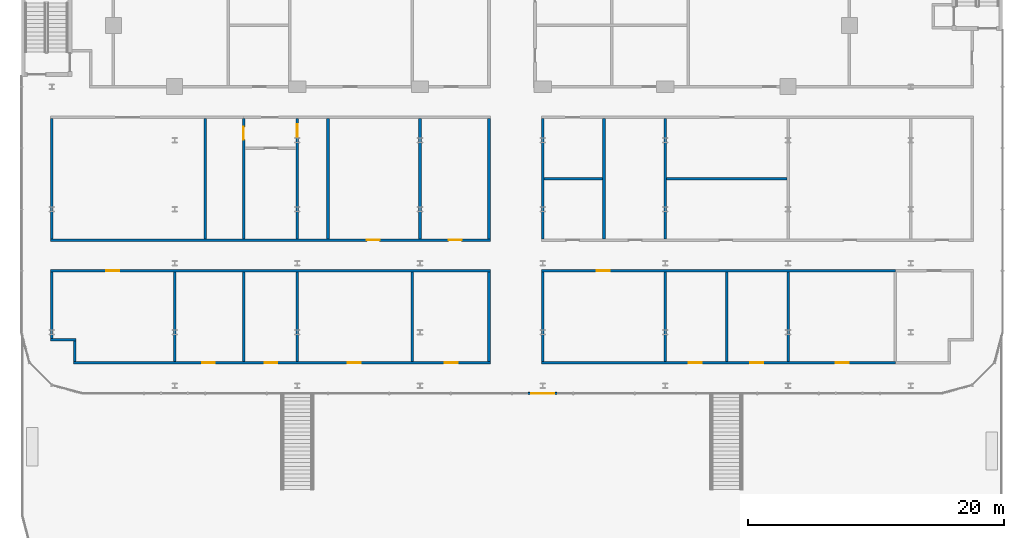
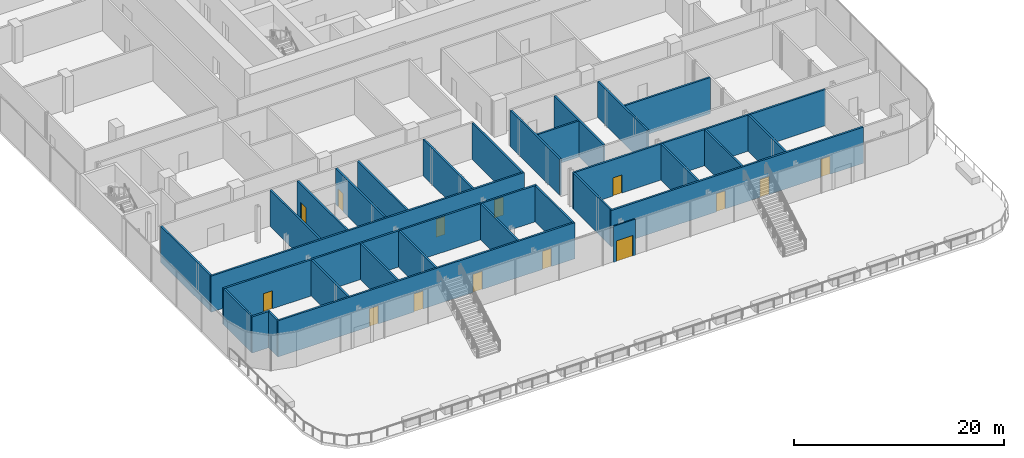
# One storey, part 29 of 43: 30 walls, 14 doors, 14 openings.
"""IFC4 building model written with IfcOpenShell, lengths in metres."""

from ifc_helpers import new_model, si_unit, direction, frame, frame_2d, origin, place, context, subcontext, project, spatial, rectangle, extrude, material, layer, layer_set, type_object, element, fill, save


model = new_model("IFC4")

# Units and contexts
model_context = context("Model", 3, precision=1e-05, world=origin(), true_north=direction((0.0, 1.0)))
body_context = subcontext(model_context, "Body", "Model", "MODEL_VIEW")
ifc_project = project(units=[si_unit("LENGTHUNIT", "METRE"), si_unit("AREAUNIT", "SQUARE_METRE"), si_unit("VOLUMEUNIT", "CUBIC_METRE"), si_unit("PLANEANGLEUNIT", "RADIAN"), si_unit("MASSUNIT", "GRAM", prefix="KILO")], contexts=[model_context])

# Site, building, storey
site_placement = place(None, origin())
site = spatial("IfcSite", under=ifc_project, at=site_placement, CompositionType="ELEMENT")
building_placement = place(site_placement, origin())
building = spatial("IfcBuilding", under=site, at=building_placement, Name="Madar Terraces", CompositionType="ELEMENT")
storey_placement = place(building_placement, frame((0.0, 0.0, 10.5)))
storey = spatial("IfcBuildingStorey", under=building, at=storey_placement, Name="L02", CompositionType="ELEMENT", Elevation=10.5)

# Wall, opening, door
ifc_material_1 = material(Name="Aluminium composite panel, black, over insulated backing", Category="aluminium")
ifc_layer_1 = layer(ifc_material_1, 0.14990234375)
ifc_layer_set_1 = layer_set([ifc_layer_1], Name="Facade bay panel 150")
wall_type_1 = type_object("IfcWallType", Name="Facade bay panel 150", PredefinedType="SOLIDWALL", material=ifc_layer_set_1)
wall_1_placement = place(storey_placement, frame((32.39990234375, -24.0, 0.0), z_axis=(0.0, 0.0, 1.0), x_axis=(1.0, 0.0, 0.0)))
wall_1 = element("IfcWall", 1, at=wall_1_placement, inside=storey, type_object=wall_type_1, Name="Facade bay panel", PredefinedType="SOLIDWALL", context=body_context, shape_type="SweptSolid", body=[
    extrude(rectangle(XDim=2.400146484375, YDim=0.14990234375, at=frame_2d((1.2001953125, 0.0))), origin(), (0.0, 0.0, 1.0), 4.199951171875),
])
opening_1_placement = place(wall_1_placement, frame((0.300048828125, 0.0, 0.0)))
opening_1 = element("IfcOpeningElement", 2, at=opening_1_placement, cuts=wall_1, Name="Opening ED1", PredefinedType="OPENING", context=body_context, shape_type="SweptSolid", body=[
    extrude(rectangle(XDim=1.800048828125, YDim=2.39990234375, at=frame_2d((0.89990234375, 1.199951171875))), frame((0.0, 0.0849609375, 0.0), z_axis=(0.0, -1.0, 0.0), x_axis=(1.0, 0.0, 0.0)), (0.0, 0.0, 1.0), 0.169921875),
])
ifc_material_2 = material(Name="Glass, clear, with black aluminium frame", Category="aluminium")
door_type_1 = type_object("IfcDoorType", Name="Balcony and terrace sliding door 1800 x 2400", OperationType="SLIDING_TO_LEFT", PredefinedType="DOOR", material=ifc_material_2)
door_1_placement = place(opening_1_placement, origin())
door_1 = element("IfcDoor", 3, at=door_1_placement, inside=storey, type_object=door_type_1, Name="Balcony door", OperationType="SLIDING_TO_RIGHT", OverallHeight=2.39990234375, OverallWidth=1.800048828125, PredefinedType="DOOR", context=body_context, shape_type="SweptSolid", body=[
    extrude(rectangle(XDim=1.800048828125, YDim=2.39990234375, at=frame_2d((0.89990234375, 1.199951171875))), frame((0.0, 0.02490234375, 0.0), z_axis=(0.0, -1.0, 0.0), x_axis=(1.0, 0.0, 0.0)), (0.0, 0.0, 1.0), 0.050048828125),
])
fill(opening_1, door_1)

# Wall, openings, doors
ifc_material_3 = material(Name="Gypsum board partition, fire-rated")
ifc_layer_2 = layer(ifc_material_3, 0.199951171875)
ifc_layer_set_2 = layer_set([ifc_layer_2], Name="Partition 200 EI 60")
wall_type_2 = type_object("IfcWallType", Name="Partition 200 EI 60", PredefinedType="PARTITIONING", material=ifc_layer_set_2)
wall_2_placement = place(storey_placement, frame((-3.10009765625, -21.60009765625, 0.0), z_axis=(0.0, 0.0, 1.0), x_axis=(1.0, 0.0, 0.0)))
wall_2 = element("IfcWall", 4, at=wall_2_placement, inside=storey, type_object=wall_type_2, Name="Wall LINEN STORE + OFFICE", PredefinedType="PARTITIONING", context=body_context, shape_type="SweptSolid", body=[
    extrude(rectangle(XDim=32.60009765625, YDim=0.199951171875, at=frame_2d((16.300048828125, 0.0))), origin(), (0.0, 0.0, 1.0), 4.199951171875),
])
opening_2_placement = place(wall_2_placement, frame((10.050048828125, 0.0, 0.0)))
opening_2 = element("IfcOpeningElement", 5, at=opening_2_placement, cuts=wall_2, Name="Opening D31", PredefinedType="OPENING", context=body_context, shape_type="SweptSolid", body=[
    extrude(rectangle(XDim=1.0, YDim=2.10009765625, at=frame_2d((0.5, 1.050048828125))), frame((0.0, 0.10986328125, 0.0), z_axis=(0.0, -1.0, 0.0), x_axis=(1.0, 0.0, 0.0)), (0.0, 0.0, 1.0), 0.219970703125),
])
opening_3_placement = place(wall_2_placement, frame((14.949951171875, 0.0, 0.0)))
opening_3 = element("IfcOpeningElement", 6, at=opening_3_placement, cuts=wall_2, Name="Opening D31", PredefinedType="OPENING", context=body_context, shape_type="SweptSolid", body=[
    extrude(rectangle(XDim=1.0, YDim=2.10009765625, at=frame_2d((0.5, 1.050048828125))), frame((0.0, 0.10986328125, 0.0), z_axis=(0.0, -1.0, 0.0), x_axis=(1.0, 0.0, 0.0)), (0.0, 0.0, 1.0), 0.219970703125),
])
opening_4_placement = place(wall_2_placement, frame((21.449951171875, 0.0, 0.0)))
opening_4 = element("IfcOpeningElement", 7, at=opening_4_placement, cuts=wall_2, Name="Opening D31", PredefinedType="OPENING", context=body_context, shape_type="SweptSolid", body=[
    extrude(rectangle(XDim=1.0, YDim=2.10009765625, at=frame_2d((0.5, 1.050048828125))), frame((0.0, 0.10986328125, 0.0), z_axis=(0.0, -1.0, 0.0), x_axis=(1.0, 0.0, 0.0)), (0.0, 0.0, 1.0), 0.219970703125),
])
opening_5_placement = place(wall_2_placement, frame((29.050048828125, 0.0, 0.0)))
opening_5 = element("IfcOpeningElement", 8, at=opening_5_placement, cuts=wall_2, Name="Opening D31", PredefinedType="OPENING", context=body_context, shape_type="SweptSolid", body=[
    extrude(rectangle(XDim=1.0, YDim=2.10009765625, at=frame_2d((0.5, 1.050048828125))), frame((0.0, 0.10986328125, 0.0), z_axis=(0.0, -1.0, 0.0), x_axis=(1.0, 0.0, 0.0)), (0.0, 0.0, 1.0), 0.219970703125),
])
ifc_material_4 = material(Name="Timber door leaf, fire-rated", Category="wood")
door_type_2 = type_object("IfcDoorType", Name="Podium door 1000 x 2100 FD30S", OperationType="NOTDEFINED", PredefinedType="DOOR", material=ifc_material_4)
door_2_placement = place(opening_2_placement, origin())
door_2 = element("IfcDoor", 9, at=door_2_placement, inside=storey, type_object=door_type_2, Name="Door OFFICE / PODIUM CORRIDOR", OperationType="SINGLE_SWING_LEFT", OverallHeight=2.10009765625, OverallWidth=1.0, PredefinedType="DOOR", context=body_context, shape_type="SweptSolid", body=[
    extrude(rectangle(XDim=1.0, YDim=2.10009765625, at=frame_2d((0.5, 1.050048828125))), frame((0.0, 0.02490234375, 0.0), z_axis=(0.0, -1.0, 0.0), x_axis=(1.0, 0.0, 0.0)), (0.0, 0.0, 1.0), 0.050048828125),
])
fill(opening_2, door_2)
door_3_placement = place(opening_3_placement, origin())
door_3 = element("IfcDoor", 10, at=door_3_placement, inside=storey, type_object=door_type_2, Name="Door STAFF ROOM / PODIUM CORRIDOR", OperationType="SINGLE_SWING_RIGHT", OverallHeight=2.10009765625, OverallWidth=1.0, PredefinedType="DOOR", context=body_context, shape_type="SweptSolid", body=[
    extrude(rectangle(XDim=1.0, YDim=2.10009765625, at=frame_2d((0.5, 1.050048828125))), frame((0.0, 0.02490234375, 0.0), z_axis=(0.0, -1.0, 0.0), x_axis=(1.0, 0.0, 0.0)), (0.0, 0.0, 1.0), 0.050048828125),
])
fill(opening_3, door_3)
door_4_placement = place(opening_4_placement, origin())
door_4 = element("IfcDoor", 11, at=door_4_placement, inside=storey, type_object=door_type_2, Name="Door LINEN STORE / PODIUM CORRIDOR", OperationType="SINGLE_SWING_LEFT", OverallHeight=2.10009765625, OverallWidth=1.0, PredefinedType="DOOR", context=body_context, shape_type="SweptSolid", body=[
    extrude(rectangle(XDim=1.0, YDim=2.10009765625, at=frame_2d((0.5, 1.050048828125))), frame((0.0, 0.02490234375, 0.0), z_axis=(0.0, -1.0, 0.0), x_axis=(1.0, 0.0, 0.0)), (0.0, 0.0, 1.0), 0.050048828125),
])
fill(opening_4, door_4)
door_5_placement = place(opening_5_placement, origin())
door_5 = element("IfcDoor", 12, at=door_5_placement, inside=storey, type_object=door_type_2, Name="Door PATIENT STORE / PODIUM CORRIDOR", OperationType="SINGLE_SWING_RIGHT", OverallHeight=2.10009765625, OverallWidth=1.0, PredefinedType="DOOR", context=body_context, shape_type="SweptSolid", body=[
    extrude(rectangle(XDim=1.0, YDim=2.10009765625, at=frame_2d((0.5, 1.050048828125))), frame((0.0, 0.02490234375, 0.0), z_axis=(0.0, -1.0, 0.0), x_axis=(1.0, 0.0, 0.0)), (0.0, 0.0, 1.0), 0.050048828125),
])
fill(opening_5, door_5)

wall_3_placement = place(storey_placement, frame((33.5, -21.60009765625, 0.0), z_axis=(0.0, 0.0, 1.0), x_axis=(1.0, 0.0, 0.0)))
wall_3 = element("IfcWall", 13, at=wall_3_placement, inside=storey, type_object=wall_type_2, Name="Wall OFFICE + RECORDS STORE", PredefinedType="PARTITIONING", context=body_context, shape_type="SweptSolid", body=[
    extrude(rectangle(XDim=27.699951171875, YDim=0.199951171875, at=frame_2d((13.85009765625, 0.0))), origin(), (0.0, 0.0, 1.0), 4.199951171875),
])
opening_6_placement = place(wall_3_placement, frame((11.550048828125, 0.0, 0.0)))
opening_6 = element("IfcOpeningElement", 14, at=opening_6_placement, cuts=wall_3, Name="Opening D31", PredefinedType="OPENING", context=body_context, shape_type="SweptSolid", body=[
    extrude(rectangle(XDim=1.0, YDim=2.10009765625, at=frame_2d((0.5, 1.050048828125))), frame((0.0, 0.10986328125, 0.0), z_axis=(0.0, -1.0, 0.0), x_axis=(1.0, 0.0, 0.0)), (0.0, 0.0, 1.0), 0.219970703125),
])
opening_7_placement = place(wall_3_placement, frame((16.35009765625, 0.0, 0.0)))
opening_7 = element("IfcOpeningElement", 15, at=opening_7_placement, cuts=wall_3, Name="Opening D31", PredefinedType="OPENING", context=body_context, shape_type="SweptSolid", body=[
    extrude(rectangle(XDim=1.0, YDim=2.10009765625, at=frame_2d((0.5, 1.050048828125))), frame((0.0, 0.10986328125, 0.0), z_axis=(0.0, -1.0, 0.0), x_axis=(1.0, 0.0, 0.0)), (0.0, 0.0, 1.0), 0.219970703125),
])
opening_8_placement = place(wall_3_placement, frame((23.050048828125, 0.0, 0.0)))
opening_8 = element("IfcOpeningElement", 16, at=opening_8_placement, cuts=wall_3, Name="Opening D31", PredefinedType="OPENING", context=body_context, shape_type="SweptSolid", body=[
    extrude(rectangle(XDim=1.0, YDim=2.10009765625, at=frame_2d((0.5, 1.050048828125))), frame((0.0, 0.10986328125, 0.0), z_axis=(0.0, -1.0, 0.0), x_axis=(1.0, 0.0, 0.0)), (0.0, 0.0, 1.0), 0.219970703125),
])
door_6_placement = place(opening_6_placement, origin())
door_6 = element("IfcDoor", 17, at=door_6_placement, inside=storey, type_object=door_type_2, Name="Door OFFICE / PODIUM CORRIDOR", OperationType="SINGLE_SWING_LEFT", OverallHeight=2.10009765625, OverallWidth=1.0, PredefinedType="DOOR", context=body_context, shape_type="SweptSolid", body=[
    extrude(rectangle(XDim=1.0, YDim=2.10009765625, at=frame_2d((0.5, 1.050048828125))), frame((0.0, 0.02490234375, 0.0), z_axis=(0.0, -1.0, 0.0), x_axis=(1.0, 0.0, 0.0)), (0.0, 0.0, 1.0), 0.050048828125),
])
fill(opening_6, door_6)
door_7_placement = place(opening_7_placement, origin())
door_7 = element("IfcDoor", 18, at=door_7_placement, inside=storey, type_object=door_type_2, Name="Door OFFICE / PODIUM CORRIDOR", OperationType="SINGLE_SWING_LEFT", OverallHeight=2.10009765625, OverallWidth=1.0, PredefinedType="DOOR", context=body_context, shape_type="SweptSolid", body=[
    extrude(rectangle(XDim=1.0, YDim=2.10009765625, at=frame_2d((0.5, 1.050048828125))), frame((0.0, 0.02490234375, 0.0), z_axis=(0.0, -1.0, 0.0), x_axis=(1.0, 0.0, 0.0)), (0.0, 0.0, 1.0), 0.050048828125),
])
fill(opening_7, door_7)
door_8_placement = place(opening_8_placement, origin())
door_8 = element("IfcDoor", 19, at=door_8_placement, inside=storey, type_object=door_type_2, Name="Door RECORDS STORE / PODIUM CORRIDOR", OperationType="SINGLE_SWING_RIGHT", OverallHeight=2.10009765625, OverallWidth=1.0, PredefinedType="DOOR", context=body_context, shape_type="SweptSolid", body=[
    extrude(rectangle(XDim=1.0, YDim=2.10009765625, at=frame_2d((0.5, 1.050048828125))), frame((0.0, 0.02490234375, 0.0), z_axis=(0.0, -1.0, 0.0), x_axis=(1.0, 0.0, 0.0)), (0.0, 0.0, 1.0), 0.050048828125),
])
fill(opening_8, door_8)

# Wall
wall_4_placement = place(storey_placement, frame((-4.89990234375, -19.800048828125, 0.0), z_axis=(0.0, 0.0, 1.0), x_axis=(1.0, 0.0, 0.0)))
element("IfcWall", 20, at=wall_4_placement, inside=storey, type_object=wall_type_2, Name="Wall OFFICE / PODIUM CORRIDOR", PredefinedType="PARTITIONING", context=body_context, shape_type="SweptSolid", body=[
    extrude(rectangle(XDim=2.0, YDim=0.199951171875, at=frame_2d((1.0, 0.0))), origin(), (0.0, 0.0, 1.0), 4.199951171875),
])

# Wall, opening, door
wall_5_placement = place(storey_placement, frame((29.5, -14.39990234375, 0.0), z_axis=(0.0, 0.0, 1.0), x_axis=(-1.0, 0.0, 0.0)))
wall_5 = element("IfcWall", 21, at=wall_5_placement, inside=storey, type_object=wall_type_2, Name="Wall LINEN STORE + OFFICE", PredefinedType="PARTITIONING", context=body_context, shape_type="SweptSolid", body=[
    extrude(rectangle(XDim=34.39990234375, YDim=0.199951171875, at=frame_2d((17.199951171875, 0.0))), origin(), (0.0, 0.0, 1.0), 4.199951171875),
])
opening_9_placement = place(wall_5_placement, frame((29.050048828125, 0.0, 0.0)))
opening_9 = element("IfcOpeningElement", 22, at=opening_9_placement, cuts=wall_5, Name="Opening D31", PredefinedType="OPENING", context=body_context, shape_type="SweptSolid", body=[
    extrude(rectangle(XDim=1.0, YDim=2.10009765625, at=frame_2d((0.5, 1.050048828125))), frame((0.0, 0.10986328125, 0.0), z_axis=(0.0, -1.0, 0.0), x_axis=(1.0, 0.0, 0.0)), (0.0, 0.0, 1.0), 0.219970703125),
])
door_9_placement = place(opening_9_placement, origin())
door_9 = element("IfcDoor", 23, at=door_9_placement, inside=storey, type_object=door_type_2, Name="Door OFFICE / PODIUM CORRIDOR", OperationType="SINGLE_SWING_LEFT", OverallHeight=2.10009765625, OverallWidth=1.0, PredefinedType="DOOR", context=body_context, shape_type="SweptSolid", body=[
    extrude(rectangle(XDim=1.0, YDim=2.10009765625, at=frame_2d((0.5, 1.050048828125))), frame((0.0, 0.02490234375, 0.0), z_axis=(0.0, -1.0, 0.0), x_axis=(1.0, 0.0, 0.0)), (0.0, 0.0, 1.0), 0.050048828125),
])
fill(opening_9, door_9)

wall_6_placement = place(storey_placement, frame((61.199951171875, -14.39990234375, 0.0), z_axis=(0.0, 0.0, 1.0), x_axis=(-1.0, 0.0, 0.0)))
wall_6 = element("IfcWall", 24, at=wall_6_placement, inside=storey, type_object=wall_type_2, Name="Wall OFFICE + RECORDS STORE", PredefinedType="PARTITIONING", context=body_context, shape_type="SweptSolid", body=[
    extrude(rectangle(XDim=27.699951171875, YDim=0.199951171875, at=frame_2d((13.85009765625, 0.0))), origin(), (0.0, 0.0, 1.0), 4.199951171875),
])
opening_10_placement = place(wall_6_placement, frame((22.35009765625, 0.0, 0.0)))
opening_10 = element("IfcOpeningElement", 25, at=opening_10_placement, cuts=wall_6, Name="Opening D31", PredefinedType="OPENING", context=body_context, shape_type="SweptSolid", body=[
    extrude(rectangle(XDim=1.0, YDim=2.10009765625, at=frame_2d((0.5, 1.050048828125))), frame((0.0, 0.10986328125, 0.0), z_axis=(0.0, -1.0, 0.0), x_axis=(1.0, 0.0, 0.0)), (0.0, 0.0, 1.0), 0.219970703125),
])
door_10_placement = place(opening_10_placement, origin())
door_10 = element("IfcDoor", 26, at=door_10_placement, inside=storey, type_object=door_type_2, Name="Door STAFF ROOM / PODIUM CORRIDOR", OperationType="SINGLE_SWING_LEFT", OverallHeight=2.10009765625, OverallWidth=1.0, PredefinedType="DOOR", context=body_context, shape_type="SweptSolid", body=[
    extrude(rectangle(XDim=1.0, YDim=2.10009765625, at=frame_2d((0.5, 1.050048828125))), frame((0.0, 0.02490234375, 0.0), z_axis=(0.0, -1.0, 0.0), x_axis=(1.0, 0.0, 0.0)), (0.0, 0.0, 1.0), 0.050048828125),
])
fill(opening_10, door_10)

# Wall, openings, doors
wall_7_placement = place(storey_placement, frame((-4.89990234375, -12.0, 0.0), z_axis=(0.0, 0.0, 1.0), x_axis=(1.0, 0.0, 0.0)))
wall_7 = element("IfcWall", 27, at=wall_7_placement, inside=storey, type_object=wall_type_2, Name="Wall ACCESSIBLE WC + TREATMENT ROOM", PredefinedType="PARTITIONING", context=body_context, shape_type="SweptSolid", body=[
    extrude(rectangle(XDim=34.39990234375, YDim=0.199951171875, at=frame_2d((17.199951171875, 0.0))), origin(), (0.0, 0.0, 1.0), 4.199951171875),
])
opening_11_placement = place(wall_7_placement, frame((24.75, 0.0, 0.0)))
opening_11 = element("IfcOpeningElement", 28, at=opening_11_placement, cuts=wall_7, Name="Opening D31", PredefinedType="OPENING", context=body_context, shape_type="SweptSolid", body=[
    extrude(rectangle(XDim=1.0, YDim=2.10009765625, at=frame_2d((0.5, 1.050048828125))), frame((0.0, 0.10986328125, 0.0), z_axis=(0.0, -1.0, 0.0), x_axis=(1.0, 0.0, 0.0)), (0.0, 0.0, 1.0), 0.219970703125),
])
opening_12_placement = place(wall_7_placement, frame((31.14990234375, 0.0, 0.0)))
opening_12 = element("IfcOpeningElement", 29, at=opening_12_placement, cuts=wall_7, Name="Opening D31", PredefinedType="OPENING", context=body_context, shape_type="SweptSolid", body=[
    extrude(rectangle(XDim=1.0, YDim=2.10009765625, at=frame_2d((0.5, 1.050048828125))), frame((0.0, 0.10986328125, 0.0), z_axis=(0.0, -1.0, 0.0), x_axis=(1.0, 0.0, 0.0)), (0.0, 0.0, 1.0), 0.219970703125),
])
door_11_placement = place(opening_11_placement, origin())
door_11 = element("IfcDoor", 30, at=door_11_placement, inside=storey, type_object=door_type_2, Name="Door TREATMENT ROOM / PODIUM CORRIDOR", OperationType="SINGLE_SWING_LEFT", OverallHeight=2.10009765625, OverallWidth=1.0, PredefinedType="DOOR", context=body_context, shape_type="SweptSolid", body=[
    extrude(rectangle(XDim=1.0, YDim=2.10009765625, at=frame_2d((0.5, 1.050048828125))), frame((0.0, 0.02490234375, 0.0), z_axis=(0.0, -1.0, 0.0), x_axis=(1.0, 0.0, 0.0)), (0.0, 0.0, 1.0), 0.050048828125),
])
fill(opening_11, door_11)
door_12_placement = place(opening_12_placement, origin())
door_12 = element("IfcDoor", 31, at=door_12_placement, inside=storey, type_object=door_type_2, Name="Door TREATMENT ROOM / PODIUM CORRIDOR", OperationType="SINGLE_SWING_RIGHT", OverallHeight=2.10009765625, OverallWidth=1.0, PredefinedType="DOOR", context=body_context, shape_type="SweptSolid", body=[
    extrude(rectangle(XDim=1.0, YDim=2.10009765625, at=frame_2d((0.5, 1.050048828125))), frame((0.0, 0.02490234375, 0.0), z_axis=(0.0, -1.0, 0.0), x_axis=(1.0, 0.0, 0.0)), (0.0, 0.0, 1.0), 0.050048828125),
])
fill(opening_12, door_12)

# Walls
wall_8_placement = place(storey_placement, frame((33.699951171875, -7.199951171875, 0.0), z_axis=(0.0, 0.0, 1.0), x_axis=(1.0, 0.0, 0.0)))
element("IfcWall", 32, at=wall_8_placement, inside=storey, type_object=wall_type_2, Name="Wall CLEAN UTILITY / DIRTY UTILITY", PredefinedType="PARTITIONING", context=body_context, shape_type="SweptSolid", body=[
    extrude(rectangle(XDim=4.60009765625, YDim=0.199951171875, at=frame_2d((2.300048828125, 0.0))), origin(), (0.0, 0.0, 1.0), 4.199951171875),
])
wall_9_placement = place(storey_placement, frame((43.300048828125, -7.199951171875, 0.0), z_axis=(0.0, 0.0, 1.0), x_axis=(1.0, 0.0, 0.0)))
element("IfcWall", 33, at=wall_9_placement, inside=storey, type_object=wall_type_2, Name="Wall CONSULTING ROOM / CONSULTING ROOM", PredefinedType="PARTITIONING", context=body_context, shape_type="SweptSolid", body=[
    extrude(rectangle(XDim=9.39990234375, YDim=0.199951171875, at=frame_2d((4.699951171875, 0.0))), origin(), (0.0, 0.0, 1.0), 4.199951171875),
])
wall_10_placement = place(storey_placement, frame((-4.800048828125, -19.699951171875, 0.0), z_axis=(0.0, 0.0, 1.0), x_axis=(0.0, 1.0, 0.0)))
element("IfcWall", 34, at=wall_10_placement, inside=storey, type_object=wall_type_2, Name="Wall OFFICE / PODIUM CORRIDOR", PredefinedType="PARTITIONING", context=body_context, shape_type="SweptSolid", body=[
    extrude(rectangle(XDim=5.199951171875, YDim=0.199951171875, at=frame_2d((2.60009765625, 0.0))), origin(), (0.0, 0.0, 1.0), 4.199951171875),
])
wall_11_placement = place(storey_placement, frame((-4.800048828125, -11.89990234375, 0.0), z_axis=(0.0, 0.0, 1.0), x_axis=(0.0, 1.0, 0.0)))
element("IfcWall", 35, at=wall_11_placement, inside=storey, type_object=wall_type_2, Name="Wall WAITING AREA / PODIUM CORRIDOR", PredefinedType="PARTITIONING", context=body_context, shape_type="SweptSolid", body=[
    extrude(rectangle(XDim=9.39990234375, YDim=0.199951171875, at=frame_2d((4.699951171875, 0.0))), origin(), (0.0, 0.0, 1.0), 4.199951171875),
])
wall_12_placement = place(storey_placement, frame((-3.0, -21.5, 0.0), z_axis=(0.0, 0.0, 1.0), x_axis=(0.0, 1.0, 0.0)))
element("IfcWall", 36, at=wall_12_placement, inside=storey, type_object=wall_type_2, Name="Wall OFFICE / PODIUM CORRIDOR", PredefinedType="PARTITIONING", context=body_context, shape_type="SweptSolid", body=[
    extrude(rectangle(XDim=1.60009765625, YDim=0.199951171875, at=frame_2d((0.800048828125, 0.0))), origin(), (0.0, 0.0, 1.0), 4.199951171875),
])
wall_13_placement = place(storey_placement, frame((4.800048828125, -21.5, 0.0), z_axis=(0.0, 0.0, 1.0), x_axis=(0.0, 1.0, 0.0)))
element("IfcWall", 37, at=wall_13_placement, inside=storey, type_object=wall_type_2, Name="Wall OFFICE / OFFICE", PredefinedType="PARTITIONING", context=body_context, shape_type="SweptSolid", body=[
    extrude(rectangle(XDim=7.0, YDim=0.199951171875, at=frame_2d((3.5, 0.0))), origin(), (0.0, 0.0, 1.0), 4.199951171875),
])
wall_14_placement = place(storey_placement, frame((7.199951171875, -11.89990234375, 0.0), z_axis=(0.0, 0.0, 1.0), x_axis=(0.0, 1.0, 0.0)))
element("IfcWall", 38, at=wall_14_placement, inside=storey, type_object=wall_type_2, Name="Wall WAITING AREA / WC MEN", PredefinedType="PARTITIONING", context=body_context, shape_type="SweptSolid", body=[
    extrude(rectangle(XDim=9.39990234375, YDim=0.199951171875, at=frame_2d((4.699951171875, 0.0))), origin(), (0.0, 0.0, 1.0), 4.199951171875),
])
wall_15_placement = place(storey_placement, frame((10.199951171875, -21.5, 0.0), z_axis=(0.0, 0.0, 1.0), x_axis=(0.0, 1.0, 0.0)))
element("IfcWall", 39, at=wall_15_placement, inside=storey, type_object=wall_type_2, Name="Wall OFFICE / STAFF ROOM", PredefinedType="PARTITIONING", context=body_context, shape_type="SweptSolid", body=[
    extrude(rectangle(XDim=7.0, YDim=0.199951171875, at=frame_2d((3.5, 0.0))), origin(), (0.0, 0.0, 1.0), 4.199951171875),
])

# Wall, opening, door
wall_16_placement = place(storey_placement, frame((10.199951171875, -11.89990234375, 0.0), z_axis=(0.0, 0.0, 1.0), x_axis=(0.0, 1.0, 0.0)))
wall_16 = element("IfcWall", 40, at=wall_16_placement, inside=storey, type_object=wall_type_2, Name="Wall WC LOBBY + WC MEN", PredefinedType="PARTITIONING", context=body_context, shape_type="SweptSolid", body=[
    extrude(rectangle(XDim=9.39990234375, YDim=0.199951171875, at=frame_2d((4.699951171875, 0.0))), origin(), (0.0, 0.0, 1.0), 4.199951171875),
])
opening_13_placement = place(wall_16_placement, frame((7.75, 0.0, 0.0)))
opening_13 = element("IfcOpeningElement", 41, at=opening_13_placement, cuts=wall_16, Name="Opening D31", PredefinedType="OPENING", context=body_context, shape_type="SweptSolid", body=[
    extrude(rectangle(XDim=1.0, YDim=2.10009765625, at=frame_2d((0.5, 1.050048828125))), frame((0.0, 0.10986328125, 0.0), z_axis=(0.0, -1.0, 0.0), x_axis=(1.0, 0.0, 0.0)), (0.0, 0.0, 1.0), 0.219970703125),
])
door_13_placement = place(opening_13_placement, origin())
door_13 = element("IfcDoor", 42, at=door_13_placement, inside=storey, type_object=door_type_2, Name="Door WC LOBBY / WC MEN", OperationType="SINGLE_SWING_RIGHT", OverallHeight=2.10009765625, OverallWidth=1.0, PredefinedType="DOOR", context=body_context, shape_type="SweptSolid", body=[
    extrude(rectangle(XDim=1.0, YDim=2.10009765625, at=frame_2d((0.5, 1.050048828125))), frame((0.0, 0.02490234375, 0.0), z_axis=(0.0, -1.0, 0.0), x_axis=(1.0, 0.0, 0.0)), (0.0, 0.0, 1.0), 0.050048828125),
])
fill(opening_13, door_13)

# Wall
wall_17_placement = place(storey_placement, frame((14.39990234375, -21.5, 0.0), z_axis=(0.0, 0.0, 1.0), x_axis=(0.0, 1.0, 0.0)))
element("IfcWall", 43, at=wall_17_placement, inside=storey, type_object=wall_type_2, Name="Wall STAFF ROOM / LINEN STORE", PredefinedType="PARTITIONING", context=body_context, shape_type="SweptSolid", body=[
    extrude(rectangle(XDim=7.0, YDim=0.199951171875, at=frame_2d((3.5, 0.0))), origin(), (0.0, 0.0, 1.0), 4.199951171875),
])

# Wall, opening, door
wall_18_placement = place(storey_placement, frame((14.39990234375, -2.5, 0.0), z_axis=(0.0, 0.0, 1.0), x_axis=(0.0, -1.0, 0.0)))
wall_18 = element("IfcWall", 44, at=wall_18_placement, inside=storey, type_object=wall_type_2, Name="Wall WC LOBBY + WC WOMEN", PredefinedType="PARTITIONING", context=body_context, shape_type="SweptSolid", body=[
    extrude(rectangle(XDim=9.39990234375, YDim=0.199951171875, at=frame_2d((4.699951171875, 0.0))), origin(), (0.0, 0.0, 1.0), 4.199951171875),
])
opening_14_placement = place(wall_18_placement, frame((0.449951171875, 0.0, 0.0)))
opening_14 = element("IfcOpeningElement", 45, at=opening_14_placement, cuts=wall_18, Name="Opening D31", PredefinedType="OPENING", context=body_context, shape_type="SweptSolid", body=[
    extrude(rectangle(XDim=1.0, YDim=2.10009765625, at=frame_2d((0.5, 1.050048828125))), frame((0.0, 0.10986328125, 0.0), z_axis=(0.0, -1.0, 0.0), x_axis=(1.0, 0.0, 0.0)), (0.0, 0.0, 1.0), 0.219970703125),
])
door_14_placement = place(opening_14_placement, origin())
door_14 = element("IfcDoor", 46, at=door_14_placement, inside=storey, type_object=door_type_2, Name="Door WC LOBBY / WC WOMEN", OperationType="SINGLE_SWING_LEFT", OverallHeight=2.10009765625, OverallWidth=1.0, PredefinedType="DOOR", context=body_context, shape_type="SweptSolid", body=[
    extrude(rectangle(XDim=1.0, YDim=2.10009765625, at=frame_2d((0.5, 1.050048828125))), frame((0.0, 0.02490234375, 0.0), z_axis=(0.0, -1.0, 0.0), x_axis=(1.0, 0.0, 0.0)), (0.0, 0.0, 1.0), 0.050048828125),
])
fill(opening_14, door_14)

# Walls
wall_19_placement = place(storey_placement, frame((16.800048828125, -11.89990234375, 0.0), z_axis=(0.0, 0.0, 1.0), x_axis=(0.0, 1.0, 0.0)))
element("IfcWall", 47, at=wall_19_placement, inside=storey, type_object=wall_type_2, Name="Wall WC WOMEN / TREATMENT ROOM", PredefinedType="PARTITIONING", context=body_context, shape_type="SweptSolid", body=[
    extrude(rectangle(XDim=9.39990234375, YDim=0.199951171875, at=frame_2d((4.699951171875, 0.0))), origin(), (0.0, 0.0, 1.0), 4.199951171875),
])
wall_20_placement = place(storey_placement, frame((23.39990234375, -21.5, 0.0), z_axis=(0.0, 0.0, 1.0), x_axis=(0.0, 1.0, 0.0)))
element("IfcWall", 48, at=wall_20_placement, inside=storey, type_object=wall_type_2, Name="Wall LINEN STORE / PATIENT STORE", PredefinedType="PARTITIONING", context=body_context, shape_type="SweptSolid", body=[
    extrude(rectangle(XDim=7.0, YDim=0.199951171875, at=frame_2d((3.5, 0.0))), origin(), (0.0, 0.0, 1.0), 4.199951171875),
])
wall_21_placement = place(storey_placement, frame((24.0, -11.89990234375, 0.0), z_axis=(0.0, 0.0, 1.0), x_axis=(0.0, 1.0, 0.0)))
element("IfcWall", 49, at=wall_21_placement, inside=storey, type_object=wall_type_2, Name="Wall TREATMENT ROOM / TREATMENT ROOM", PredefinedType="PARTITIONING", context=body_context, shape_type="SweptSolid", body=[
    extrude(rectangle(XDim=9.39990234375, YDim=0.199951171875, at=frame_2d((4.699951171875, 0.0))), origin(), (0.0, 0.0, 1.0), 4.199951171875),
])
wall_22_placement = place(storey_placement, frame((29.39990234375, -21.5, 0.0), z_axis=(0.0, 0.0, 1.0), x_axis=(0.0, 1.0, 0.0)))
element("IfcWall", 50, at=wall_22_placement, inside=storey, type_object=wall_type_2, Name="Wall PATIENT STORE / PODIUM CORRIDOR", PredefinedType="PARTITIONING", context=body_context, shape_type="SweptSolid", body=[
    extrude(rectangle(XDim=7.0, YDim=0.199951171875, at=frame_2d((3.5, 0.0))), origin(), (0.0, 0.0, 1.0), 4.199951171875),
])
wall_23_placement = place(storey_placement, frame((29.39990234375, -11.89990234375, 0.0), z_axis=(0.0, 0.0, 1.0), x_axis=(0.0, 1.0, 0.0)))
element("IfcWall", 51, at=wall_23_placement, inside=storey, type_object=wall_type_2, Name="Wall TREATMENT ROOM / PODIUM CORRIDOR", PredefinedType="PARTITIONING", context=body_context, shape_type="SweptSolid", body=[
    extrude(rectangle(XDim=9.39990234375, YDim=0.199951171875, at=frame_2d((4.699951171875, 0.0))), origin(), (0.0, 0.0, 1.0), 4.199951171875),
])
wall_24_placement = place(storey_placement, frame((33.60009765625, -21.5, 0.0), z_axis=(0.0, 0.0, 1.0), x_axis=(0.0, 1.0, 0.0)))
element("IfcWall", 52, at=wall_24_placement, inside=storey, type_object=wall_type_2, Name="Wall STAFF ROOM / PODIUM CORRIDOR", PredefinedType="PARTITIONING", context=body_context, shape_type="SweptSolid", body=[
    extrude(rectangle(XDim=7.0, YDim=0.199951171875, at=frame_2d((3.5, 0.0))), origin(), (0.0, 0.0, 1.0), 4.199951171875),
])
for number, where, z_axis, x_axis, name in (
    (53, (33.60009765625, -11.89990234375, 0.0), (0.0, 0.0, 1.0), (0.0, 1.0, 0.0), "Wall CLEAN UTILITY + DIRTY UTILITY"),
    (54, (38.39990234375, -11.89990234375, 0.0), (0.0, 0.0, 1.0), (0.0, 1.0, 0.0), "Wall CLEAN UTILITY + DIRTY UTILITY"),
):
    element("IfcWall", number, at=place(storey_placement, frame(where, z_axis=z_axis, x_axis=x_axis)), inside=storey, type_object=wall_type_2, Name=name, PredefinedType="PARTITIONING", context=body_context, shape_type="SweptSolid", body=[
        extrude(rectangle(XDim=9.39990234375, YDim=0.199951171875, at=frame_2d((4.699951171875, 0.0))), origin(), (0.0, 0.0, 1.0), 4.199951171875),
    ])
wall_25_placement = place(storey_placement, frame((43.199951171875, -21.5, 0.0), z_axis=(0.0, 0.0, 1.0), x_axis=(0.0, 1.0, 0.0)))
element("IfcWall", 55, at=wall_25_placement, inside=storey, type_object=wall_type_2, Name="Wall STAFF ROOM / OFFICE", PredefinedType="PARTITIONING", context=body_context, shape_type="SweptSolid", body=[
    extrude(rectangle(XDim=7.0, YDim=0.199951171875, at=frame_2d((3.5, 0.0))), origin(), (0.0, 0.0, 1.0), 4.199951171875),
])
wall_26_placement = place(storey_placement, frame((43.199951171875, -11.89990234375, 0.0), z_axis=(0.0, 0.0, 1.0), x_axis=(0.0, 1.0, 0.0)))
element("IfcWall", 56, at=wall_26_placement, inside=storey, type_object=wall_type_2, Name="Wall NURSES STATION", PredefinedType="PARTITIONING", context=body_context, shape_type="SweptSolid", body=[
    extrude(rectangle(XDim=9.39990234375, YDim=0.199951171875, at=frame_2d((4.699951171875, 0.0))), origin(), (0.0, 0.0, 1.0), 4.199951171875),
])
for number, where, z_axis, x_axis, name in (
    (57, (48.0, -21.5, 0.0), (0.0, 0.0, 1.0), (0.0, 1.0, 0.0), "Wall OFFICE / OFFICE"),
    (58, (52.800048828125, -21.5, 0.0), (0.0, 0.0, 1.0), (0.0, 1.0, 0.0), "Wall OFFICE / RECORDS STORE"),
):
    element("IfcWall", number, at=place(storey_placement, frame(where, z_axis=z_axis, x_axis=x_axis)), inside=storey, type_object=wall_type_2, Name=name, PredefinedType="PARTITIONING", context=body_context, shape_type="SweptSolid", body=[
        extrude(rectangle(XDim=7.0, YDim=0.199951171875, at=frame_2d((3.5, 0.0))), origin(), (0.0, 0.0, 1.0), 4.199951171875),
    ])

save(model, "model.ifc")
